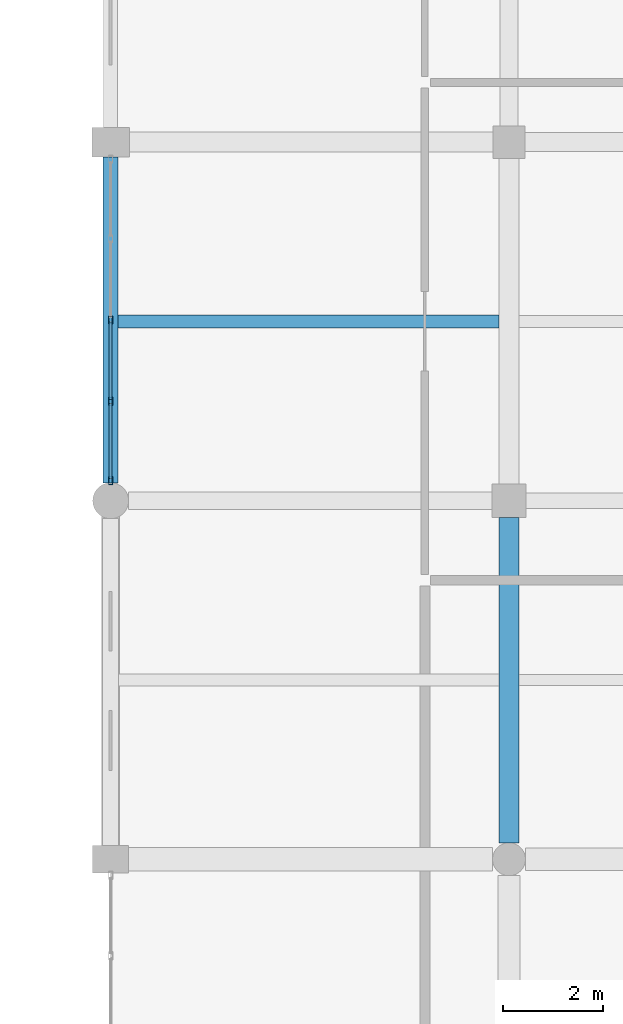
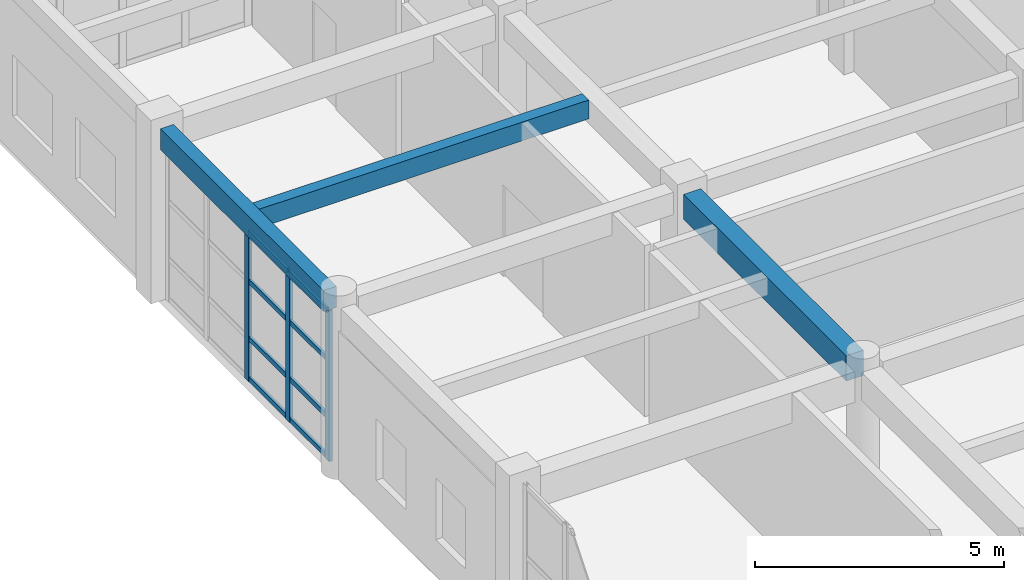
# One storey, part 73 of 160: 11 members, 3 beams, 1 element without a shape of its own.
"""IFC4 building model written with IfcOpenShell, lengths in metres."""

from ifc_helpers import new_model, si_unit, direction, frame, origin, origin_2d, place, context, subcontext, project, spatial, rectangle, hollow_rectangle, extrude, material, material_profile, profile_set, type_object, element, aggregate, save


model = new_model("IFC4")

# Units and contexts
model_context = context("Model", 3, precision=1e-05, world=origin(), true_north=direction((0.0, 1.0)))
body_context = subcontext(model_context, "Body", "Model", "MODEL_VIEW")
ifc_project = project(units=[si_unit("LENGTHUNIT", "METRE"), si_unit("AREAUNIT", "SQUARE_METRE"), si_unit("VOLUMEUNIT", "CUBIC_METRE"), si_unit("PLANEANGLEUNIT", "RADIAN"), si_unit("MASSUNIT", "GRAM", prefix="KILO")], contexts=[model_context])

# Site, building, storey
site_placement = place(None, origin())
site = spatial("IfcSite", under=ifc_project, at=site_placement, CompositionType="ELEMENT")
building_placement = place(site_placement, origin())
building = spatial("IfcBuilding", under=site, at=building_placement, Name="Kharva Crest Polytechnic", CompositionType="ELEMENT")
storey_placement = place(building_placement, frame((0.0, 0.0, 4.5)))
storey = spatial("IfcBuildingStorey", under=building, at=storey_placement, Name="L01", CompositionType="ELEMENT", Elevation=4.5)

# Beam
ifc_material_1 = material(Name="Concrete C35/45", Category="concrete")
ifc_material_profile_1 = material_profile(ifc_material_1, rectangle(XDim=0.39990234375, YDim=0.6201171875, at=origin_2d()), Name="RECT 400 X 620")
ifc_profile_set_1 = profile_set([ifc_material_profile_1], Name="Concrete C35/45")
beam_type_1 = type_object("IfcBeamType", Name="BM-RC-400X620", PredefinedType="BEAM", material=ifc_profile_set_1)
beam_1_placement = place(storey_placement, frame((40.0, 100.72998046875, 3.909912109375), z_axis=(0.0, 1.0, 0.0), x_axis=(-1.0, 0.0, 0.0)))
element("IfcBeam", 1, at=beam_1_placement, inside=storey, type_object=beam_type_1, Name="L01 Girder 6/P-Q", PredefinedType="BEAM", context=body_context, shape_type="SweptSolid", body=[
    extrude(rectangle(XDim=0.39990234375, YDim=0.6201171875, at=origin_2d()), origin(), (0.0, 0.0, 1.0), 6.530029296875),
])

# Curtain wall, members
ifc_material_2 = material(Name="Tempered insulated glass", Category="glass")
curtain_wall_type = type_object("IfcCurtainWallType", Name="CW-SYS-COURT", PredefinedType="USERDEFINED", material=ifc_material_2)
curtain_wall_placement = place(storey_placement, origin())
curtain_wall = element("IfcCurtainWall", 2, at=curtain_wall_placement, inside=storey, type_object=curtain_wall_type, Name="L01 Glazed Curtain Wall CW-078", ObjectType="CURTAIN WALL", PredefinedType="USERDEFINED")
ifc_material_3 = material(Name="Steel S355", Category="steel")
ifc_material_profile_2 = material_profile(ifc_material_3, hollow_rectangle(XDim=0.080078125, YDim=0.159912109375, WallThickness=0.0048828125, at=origin_2d()), Name="RHS 160X80X5.0")
ifc_profile_set_2 = profile_set([ifc_material_profile_2], Name="Steel S355")
member_type_1 = type_object("IfcMemberType", Name="CWM-RHS160X80", PredefinedType="MULLION", material=ifc_profile_set_2)
member_1_placement = place(storey_placement, frame((32.0, 111.22998046875, 0.0), z_axis=(0.0, 0.0, 1.0), x_axis=(1.0, 0.0, 0.0)))
member_1 = element("IfcMember", 3, at=member_1_placement, type_object=member_type_1, Name="CW-078 mullion 3", PredefinedType="MULLION", context=body_context, shape_type="SweptSolid", body=[
    extrude(hollow_rectangle(XDim=0.080078125, YDim=0.159912109375, WallThickness=0.0048828125, at=origin_2d()), origin(), (0.0, 0.0, 1.0), 3.699951171875),
])
member_2_placement = place(storey_placement, frame((32.0, 109.597412109375, 0.0), z_axis=(0.0, 0.0, 1.0), x_axis=(1.0, 0.0, 0.0)))
member_2 = element("IfcMember", 4, at=member_2_placement, type_object=member_type_1, Name="CW-078 mullion 4", PredefinedType="MULLION", context=body_context, shape_type="SweptSolid", body=[
    extrude(hollow_rectangle(XDim=0.080078125, YDim=0.159912109375, WallThickness=0.0048828125, at=origin_2d()), origin(), (0.0, 0.0, 1.0), 3.699951171875),
])
member_3_placement = place(storey_placement, frame((32.0, 108.0048828125, 0.0), z_axis=(0.0, 0.0, 1.0), x_axis=(1.0, 0.0, 0.0)))
member_3 = element("IfcMember", 5, at=member_3_placement, type_object=member_type_1, Name="CW-078 mullion 5", PredefinedType="MULLION", context=body_context, shape_type="SweptSolid", body=[
    extrude(hollow_rectangle(XDim=0.080078125, YDim=0.159912109375, WallThickness=0.0048828125, at=origin_2d()), origin(), (0.0, 0.0, 1.0), 3.699951171875),
])
ifc_material_profile_3 = material_profile(ifc_material_3, hollow_rectangle(XDim=0.06005859375, YDim=0.1201171875, WallThickness=0.00390625, at=origin_2d()), Name="RHS 120X60X4.0")
ifc_profile_set_3 = profile_set([ifc_material_profile_3], Name="Steel S355")
member_type_2 = type_object("IfcMemberType", Name="CWT-RHS120X60", PredefinedType="USERDEFINED", material=ifc_profile_set_3)
member_4_placement = place(storey_placement, frame((32.0, 111.18994140625, 0.06005859375), z_axis=(0.0, -1.0, 0.0), x_axis=(1.0, 0.0, 0.0)))
member_4 = element("IfcMember", 6, at=member_4_placement, type_object=member_type_2, Name="CW-078 transom 3.1", ObjectType="TRANSOM", PredefinedType="USERDEFINED", context=body_context, shape_type="SweptSolid", body=[
    extrude(hollow_rectangle(XDim=0.06005859375, YDim=0.1201171875, WallThickness=0.00390625, at=origin_2d()), origin(), (0.0, 0.0, 1.0), 1.552490234375),
])
member_5_placement = place(storey_placement, frame((32.0, 111.18994140625, 1.050048828125), z_axis=(0.0, -1.0, 0.0), x_axis=(1.0, 0.0, 0.0)))
member_5 = element("IfcMember", 7, at=member_5_placement, type_object=member_type_2, Name="CW-078 transom 3.2", ObjectType="TRANSOM", PredefinedType="USERDEFINED", context=body_context, shape_type="SweptSolid", body=[
    extrude(hollow_rectangle(XDim=0.06005859375, YDim=0.1201171875, WallThickness=0.00390625, at=origin_2d()), origin(), (0.0, 0.0, 1.0), 1.552490234375),
])
member_6_placement = place(storey_placement, frame((32.0, 111.18994140625, 2.449951171875), z_axis=(0.0, -1.0, 0.0), x_axis=(1.0, 0.0, 0.0)))
member_6 = element("IfcMember", 8, at=member_6_placement, type_object=member_type_2, Name="CW-078 transom 3.3", ObjectType="TRANSOM", PredefinedType="USERDEFINED", context=body_context, shape_type="SweptSolid", body=[
    extrude(hollow_rectangle(XDim=0.06005859375, YDim=0.1201171875, WallThickness=0.00390625, at=origin_2d()), origin(), (0.0, 0.0, 1.0), 1.552490234375),
])
member_7_placement = place(storey_placement, frame((32.0, 111.18994140625, 3.639892578125), z_axis=(0.0, -1.0, 0.0), x_axis=(1.0, 0.0, 0.0)))
member_7 = element("IfcMember", 9, at=member_7_placement, type_object=member_type_2, Name="CW-078 transom 3.4", ObjectType="TRANSOM", PredefinedType="USERDEFINED", context=body_context, shape_type="SweptSolid", body=[
    extrude(hollow_rectangle(XDim=0.06005859375, YDim=0.1201171875, WallThickness=0.00390625, at=origin_2d()), origin(), (0.0, 0.0, 1.0), 1.552490234375),
])
member_8_placement = place(storey_placement, frame((32.0, 109.5576171875, 0.06005859375), z_axis=(0.0, -1.0, 0.0), x_axis=(1.0, 0.0, 0.0)))
member_8 = element("IfcMember", 10, at=member_8_placement, type_object=member_type_2, Name="CW-078 transom 4.1", ObjectType="TRANSOM", PredefinedType="USERDEFINED", context=body_context, shape_type="SweptSolid", body=[
    extrude(hollow_rectangle(XDim=0.06005859375, YDim=0.1201171875, WallThickness=0.00390625, at=origin_2d()), origin(), (0.0, 0.0, 1.0), 1.5126953125),
])
member_9_placement = place(storey_placement, frame((32.0, 109.5576171875, 1.050048828125), z_axis=(0.0, -1.0, 0.0), x_axis=(1.0, 0.0, 0.0)))
member_9 = element("IfcMember", 11, at=member_9_placement, type_object=member_type_2, Name="CW-078 transom 4.2", ObjectType="TRANSOM", PredefinedType="USERDEFINED", context=body_context, shape_type="SweptSolid", body=[
    extrude(hollow_rectangle(XDim=0.06005859375, YDim=0.1201171875, WallThickness=0.00390625, at=origin_2d()), origin(), (0.0, 0.0, 1.0), 1.5126953125),
])
member_10_placement = place(storey_placement, frame((32.0, 109.5576171875, 2.449951171875), z_axis=(0.0, -1.0, 0.0), x_axis=(1.0, 0.0, 0.0)))
member_10 = element("IfcMember", 12, at=member_10_placement, type_object=member_type_2, Name="CW-078 transom 4.3", ObjectType="TRANSOM", PredefinedType="USERDEFINED", context=body_context, shape_type="SweptSolid", body=[
    extrude(hollow_rectangle(XDim=0.06005859375, YDim=0.1201171875, WallThickness=0.00390625, at=origin_2d()), origin(), (0.0, 0.0, 1.0), 1.5126953125),
])
member_11_placement = place(storey_placement, frame((32.0, 109.5576171875, 3.639892578125), z_axis=(0.0, -1.0, 0.0), x_axis=(1.0, 0.0, 0.0)))
member_11 = element("IfcMember", 13, at=member_11_placement, type_object=member_type_2, Name="CW-078 transom 4.4", ObjectType="TRANSOM", PredefinedType="USERDEFINED", context=body_context, shape_type="SweptSolid", body=[
    extrude(hollow_rectangle(XDim=0.06005859375, YDim=0.1201171875, WallThickness=0.00390625, at=origin_2d()), origin(), (0.0, 0.0, 1.0), 1.5126953125),
])
aggregate(curtain_wall, [member_1, member_2, member_3, member_4, member_5, member_6, member_7, member_8, member_9, member_10, member_11])

# Beams
ifc_material_profile_4 = material_profile(ifc_material_1, rectangle(XDim=0.260009765625, YDim=0.4599609375, at=origin_2d()), Name="RECT 260 X 460")
ifc_profile_set_4 = profile_set([ifc_material_profile_4], Name="Concrete C35/45")
beam_type_2 = type_object("IfcBeamType", Name="JS-RC-260X460", PredefinedType="JOIST", material=ifc_profile_set_4)
beam_2_placement = place(storey_placement, frame((32.14990234375, 111.199951171875, 3.989990234375), z_axis=(1.0, 0.0, 0.0), x_axis=(0.0, 1.0, 0.0)))
element("IfcBeam", 14, at=beam_2_placement, inside=storey, type_object=beam_type_2, Name="L01 Floor Joist 26", PredefinedType="JOIST", context=body_context, shape_type="SweptSolid", body=[
    extrude(rectangle(XDim=0.260009765625, YDim=0.4599609375, at=origin_2d()), origin(), (0.0, 0.0, 1.0), 7.650146484375),
])
ifc_material_profile_5 = material_profile(ifc_material_1, rectangle(XDim=0.300048828125, YDim=0.52001953125, at=origin_2d()), Name="RECT 300 X 520")
ifc_profile_set_5 = profile_set([ifc_material_profile_5], Name="Concrete C35/45")
beam_type_3 = type_object("IfcBeamType", Name="SP-RC-300X520", PredefinedType="SPANDREL", material=ifc_profile_set_5)
beam_3_placement = place(storey_placement, frame((32.0, 107.9599609375, 3.9599609375), z_axis=(0.0, 1.0, 0.0), x_axis=(-1.0, 0.0, 0.0)))
element("IfcBeam", 15, at=beam_3_placement, inside=storey, type_object=beam_type_3, Name="L01 Girder 5/Q-R", PredefinedType="SPANDREL", context=body_context, shape_type="SweptSolid", body=[
    extrude(rectangle(XDim=0.300048828125, YDim=0.52001953125, at=origin_2d()), origin(), (0.0, 0.0, 1.0), 6.5400390625),
])

save(model, "model.ifc")
